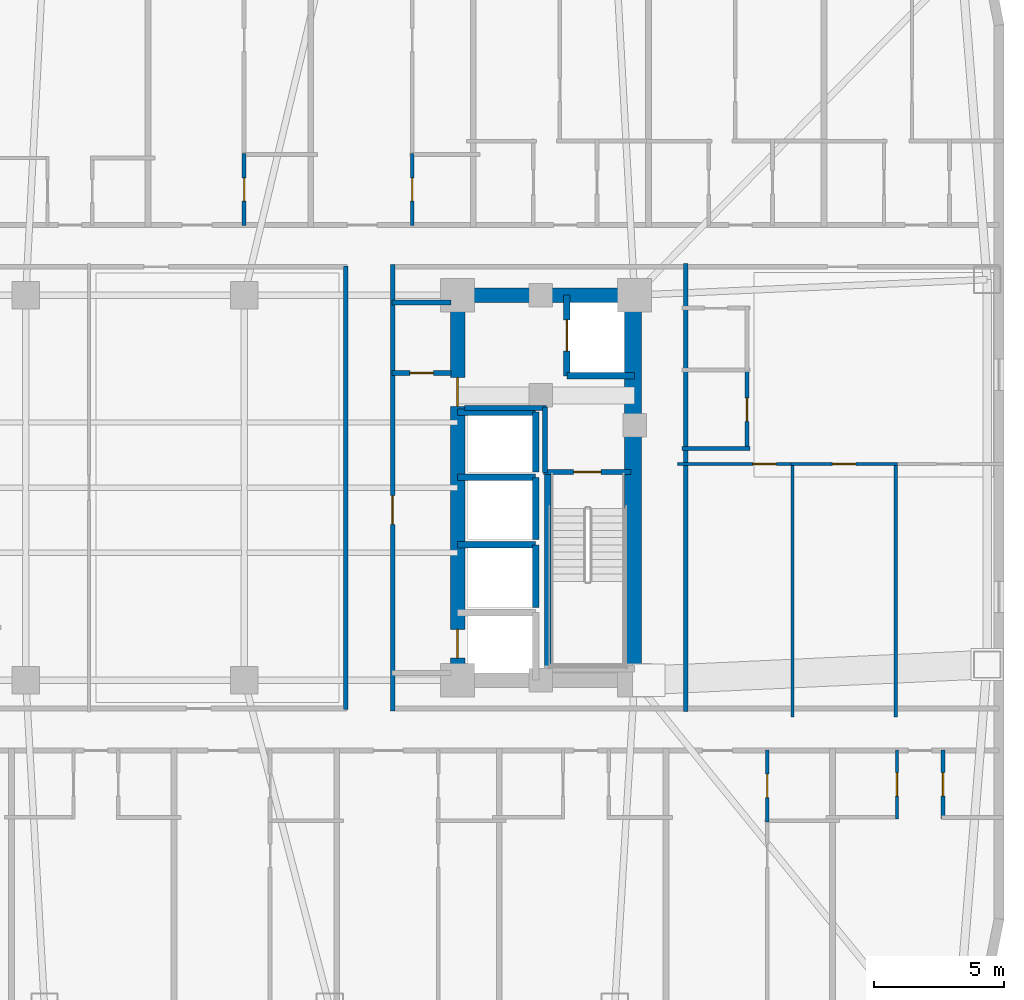
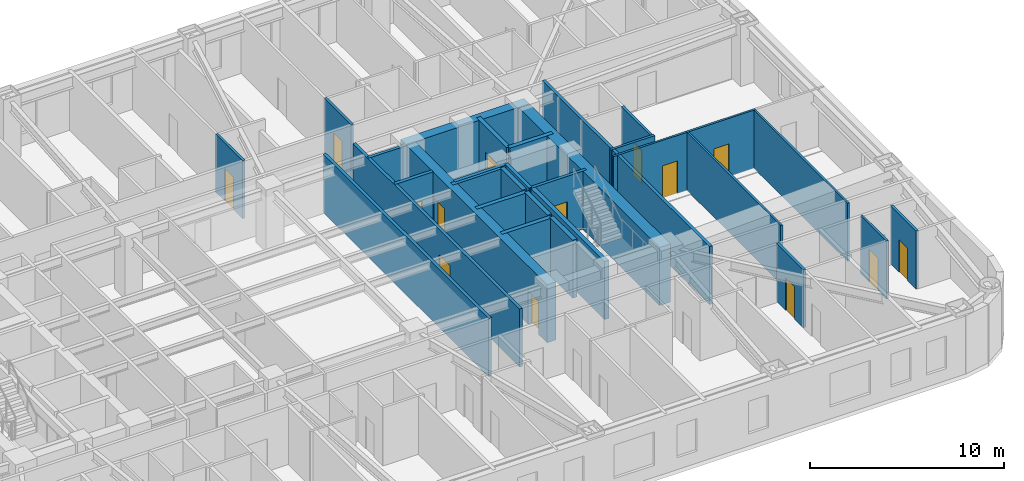
# One storey, part 7 of 13: 31 walls, 14 doors, 14 openings.
"""IFC4 building model written with IfcOpenShell, lengths in metres."""

from ifc_helpers import new_model, si_unit, direction, frame, frame_2d, origin, place, context, subcontext, project, spatial, rectangle, extrude, material, layer, layer_set, type_object, element, fill, save


model = new_model("IFC4")

# Units and contexts
model_context = context("Model", 3, precision=1e-05, world=origin(), true_north=direction((0.0, 1.0)))
body_context = subcontext(model_context, "Body", "Model", "MODEL_VIEW")
ifc_project = project(units=[si_unit("LENGTHUNIT", "METRE"), si_unit("AREAUNIT", "SQUARE_METRE"), si_unit("VOLUMEUNIT", "CUBIC_METRE"), si_unit("PLANEANGLEUNIT", "RADIAN"), si_unit("MASSUNIT", "GRAM", prefix="KILO")], contexts=[model_context])

# Site, building, storey
site_placement = place(None, origin())
site = spatial("IfcSite", under=ifc_project, at=site_placement, CompositionType="ELEMENT")
building_placement = place(site_placement, origin())
building = spatial("IfcBuilding", under=site, at=building_placement, Name="Voryun Gate Residences", CompositionType="ELEMENT")
storey_placement = place(building_placement, frame((0.0, 0.0, 124.800048828125)))
storey = spatial("IfcBuildingStorey", under=building, at=storey_placement, Name="L30", CompositionType="ELEMENT", Elevation=124.800048828125)

# Wall
ifc_material_1 = material(Name="Concrete C60/75", Category="concrete")
ifc_layer_1 = layer(ifc_material_1, 0.550048828125, Name="CW_CORE_550")
ifc_layer_set_1 = layer_set([ifc_layer_1], Name="Concrete C60/75")
wall_type_1 = type_object("IfcWallType", Name="CW_CORE_550", PredefinedType="SHEAR", material=ifc_layer_set_1)
wall_1_placement = place(storey_placement, frame((12.125, 7.39990234375, 0.0), z_axis=(0.0, 0.0, 1.0), x_axis=(1.0, 0.0, 0.0)))
element("IfcWall", 1, at=wall_1_placement, inside=storey, type_object=wall_type_1, Name="L30 Core shear wall CW-L30-EN", PredefinedType="SHEAR", context=body_context, shape_type="SweptSolid", body=[
    extrude(rectangle(XDim=7.35009765625, YDim=0.550048828125, at=frame_2d((3.675048828125, 0.0))), origin(), (0.0, 0.0, 1.0), 3.64990234375),
])

# Wall, openings, doors
wall_2_placement = place(storey_placement, frame((12.39990234375, -7.39990234375, 0.0), z_axis=(0.0, 0.0, 1.0), x_axis=(0.0, 1.0, 0.0)))
wall_2 = element("IfcWall", 2, at=wall_2_placement, inside=storey, type_object=wall_type_1, Name="L30 Core shear wall CW-L30-EW", PredefinedType="SHEAR", context=body_context, shape_type="SweptSolid", body=[
    extrude(rectangle(XDim=14.7998046875, YDim=0.550048828125, at=frame_2d((7.39990234375, 0.0))), origin(), (0.0, 0.0, 1.0), 3.64990234375),
])
opening_1_placement = place(wall_2_placement, frame((0.85009765625, 0.0, 0.0)))
opening_1 = element("IfcOpeningElement", 3, at=opening_1_placement, cuts=wall_2, Name="Opening LD2", PredefinedType="OPENING", context=body_context, shape_type="SweptSolid", body=[
    extrude(rectangle(XDim=1.10009765625, YDim=2.050048828125, at=frame_2d((0.550048828125, 1.02490234375))), frame((0.0, 0.284912109375, 0.0), z_axis=(0.0, -1.0, 0.0), x_axis=(1.0, 0.0, 0.0)), (0.0, 0.0, 1.0), 0.570068359375),
])
opening_2_placement = place(wall_2_placement, frame((10.530029296875, 0.0, 0.0)))
opening_2 = element("IfcOpeningElement", 4, at=opening_2_placement, cuts=wall_2, Name="Opening D-FD60-2", PredefinedType="OPENING", context=body_context, shape_type="SweptSolid", body=[
    extrude(rectangle(XDim=1.10009765625, YDim=2.050048828125, at=frame_2d((0.550048828125, 1.02490234375))), frame((0.0, 0.284912109375, 0.0), z_axis=(0.0, -1.0, 0.0), x_axis=(1.0, 0.0, 0.0)), (0.0, 0.0, 1.0), 0.570068359375),
])
ifc_material_2 = material(Name="Painted steel fire door", Category="steel")
door_type_1 = type_object("IfcDoorType", Name="DR_FD60_FFLOB_1100", OperationType="NOTDEFINED", PredefinedType="DOOR", material=ifc_material_2)
door_1_placement = place(opening_2_placement, origin())
door_1 = element("IfcDoor", 5, at=door_1_placement, inside=storey, type_object=door_type_1, Name="Door DR-L30-CLOB-E", OperationType="SINGLE_SWING_RIGHT", OverallHeight=2.050048828125, OverallWidth=1.10009765625, PredefinedType="DOOR", context=body_context, shape_type="SweptSolid", body=[
    extrude(rectangle(XDim=1.10009765625, YDim=2.050048828125, at=frame_2d((0.550048828125, 1.02490234375))), frame((0.0, 0.02490234375, 0.0), z_axis=(0.0, -1.0, 0.0), x_axis=(1.0, 0.0, 0.0)), (0.0, 0.0, 1.0), 0.050048828125),
])
fill(opening_2, door_1)
ifc_material_3 = material(Name="Anodised aluminium", Category="aluminium")
door_type_2 = type_object("IfcDoorType", Name="DR_LD_PASS_1100", OperationType="NOTDEFINED", PredefinedType="DOOR", material=ifc_material_3)
door_2_placement = place(opening_1_placement, origin())
door_2 = element("IfcDoor", 6, at=door_2_placement, inside=storey, type_object=door_type_2, Name="Lift EL-P3 sliding landing door L30", OperationType="SLIDING_TO_LEFT", OverallHeight=2.050048828125, OverallWidth=1.10009765625, PredefinedType="DOOR", context=body_context, shape_type="SweptSolid", body=[
    extrude(rectangle(XDim=1.10009765625, YDim=2.050048828125, at=frame_2d((0.550048828125, 1.02490234375))), frame((0.0, 0.02490234375, 0.0), z_axis=(0.0, -1.0, 0.0), x_axis=(1.0, 0.0, 0.0)), (0.0, 0.0, 1.0), 0.050048828125),
])
fill(opening_1, door_2)

# Wall
ifc_material_4 = material(Name="Concrete C60/75", Category="concrete")
ifc_layer_2 = layer(ifc_material_4, 0.64990234375, Name="CW_CORE_650")
ifc_layer_set_2 = layer_set([ifc_layer_2], Name="Concrete C60/75")
wall_type_2 = type_object("IfcWallType", Name="CW_CORE_650", PredefinedType="SHEAR", material=ifc_layer_set_2)
wall_3_placement = place(storey_placement, frame((19.14501953125, -7.39990234375, 0.0), z_axis=(0.0, 0.0, 1.0), x_axis=(0.0, 1.0, 0.0)))
element("IfcWall", 7, at=wall_3_placement, inside=storey, type_object=wall_type_2, Name="L30 Core shear wall CW-L30-EE", PredefinedType="SHEAR", context=body_context, shape_type="SweptSolid", body=[
    extrude(rectangle(XDim=14.7998046875, YDim=0.64990234375, at=frame_2d((7.39990234375, 0.0))), origin(), (0.0, 0.0, 1.0), 3.64990234375),
])

# Wall, opening, door
ifc_material_5 = material(Name="Gypsum acoustic fireboard")
ifc_layer_3 = layer(ifc_material_5, 0.179931640625, Name="W_CORR_RATED_180")
ifc_layer_set_3 = layer_set([ifc_layer_3], Name="Gypsum acoustic fireboard")
wall_type_3 = type_object("IfcWallType", Name="W_CORR_RATED_180", PredefinedType="PARTITIONING", material=ifc_layer_set_3)
wall_4_placement = place(storey_placement, frame((15.699951171875, 0.60009765625, 0.0), z_axis=(0.0, 0.0, 1.0), x_axis=(1.0, 0.0, 0.0)))
wall_4 = element("IfcWall", 8, at=wall_4_placement, inside=storey, type_object=wall_type_3, Name="Partition wall WP-L30-STV-E", PredefinedType="PARTITIONING", context=body_context, shape_type="SweptSolid", body=[
    extrude(rectangle(XDim=3.360107421875, YDim=0.179931640625, at=frame_2d((1.68017578125, 0.0))), origin(), (0.0, 0.0, 1.0), 3.64990234375),
])
opening_3_placement = place(wall_4_placement, frame((1.155029296875, 0.0, 0.0)))
opening_3 = element("IfcOpeningElement", 9, at=opening_3_placement, cuts=wall_4, Name="Opening D-FD60-1", PredefinedType="OPENING", context=body_context, shape_type="SweptSolid", body=[
    extrude(rectangle(XDim=1.050048828125, YDim=2.050048828125, at=frame_2d((0.52490234375, 1.02490234375))), frame((0.0, 0.099853515625, 0.0), z_axis=(0.0, -1.0, 0.0), x_axis=(1.0, 0.0, 0.0)), (0.0, 0.0, 1.0), 0.199951171875),
])
ifc_material_6 = material(Name="Painted steel fire door", Category="steel")
door_type_3 = type_object("IfcDoorType", Name="DR_FD60_STAIR_1050", OperationType="NOTDEFINED", PredefinedType="DOOR", material=ifc_material_6)
door_3_placement = place(opening_3_placement, origin())
door_3 = element("IfcDoor", 10, at=door_3_placement, inside=storey, type_object=door_type_3, Name="Door DR-L30-ST-E", OperationType="SINGLE_SWING_RIGHT", OverallHeight=2.050048828125, OverallWidth=1.050048828125, PredefinedType="DOOR", context=body_context, shape_type="SweptSolid", body=[
    extrude(rectangle(XDim=1.050048828125, YDim=2.050048828125, at=frame_2d((0.52490234375, 1.02490234375))), frame((0.0, 0.02490234375, 0.0), z_axis=(0.0, -1.0, 0.0), x_axis=(1.0, 0.0, 0.0)), (0.0, 0.0, 1.0), 0.050048828125),
])
fill(opening_3, door_3)

# Wall
wall_5_placement = place(storey_placement, frame((9.8798828125, 7.1201171875, 0.0), z_axis=(0.0, 0.0, 1.0), x_axis=(1.0, 0.0, 0.0)))
element("IfcWall", 11, at=wall_5_placement, inside=storey, type_object=wall_type_3, Name="Partition wall WP-L30-PLBN-E", PredefinedType="PARTITIONING", context=body_context, shape_type="SweptSolid", body=[
    extrude(rectangle(XDim=2.27001953125, YDim=0.179931640625, at=frame_2d((1.135009765625, 0.0))), origin(), (0.0, 0.0, 1.0), 3.64990234375),
])

# Wall, opening, door
wall_6_placement = place(storey_placement, frame((9.89990234375, -8.580078125, 0.0), z_axis=(0.0, 0.0, 1.0), x_axis=(0.0, 1.0, 0.0)))
wall_6 = element("IfcWall", 12, at=wall_6_placement, inside=storey, type_object=wall_type_3, Name="Partition wall WP-L30-PLBE-FULL", PredefinedType="PARTITIONING", context=body_context, shape_type="SweptSolid", body=[
    extrude(rectangle(XDim=17.16015625, YDim=0.179931640625, at=frame_2d((8.580078125, 0.0))), origin(), (0.0, 0.0, 1.0), 3.64990234375),
])
opening_4_placement = place(wall_6_placement, frame((7.172119140625, 0.0, 0.0)))
opening_4 = element("IfcOpeningElement", 13, at=opening_4_placement, cuts=wall_6, Name="Opening D-FD60-2", PredefinedType="OPENING", context=body_context, shape_type="SweptSolid", body=[
    extrude(rectangle(XDim=1.10009765625, YDim=2.050048828125, at=frame_2d((0.550048828125, 1.02490234375))), frame((0.0, 0.099853515625, 0.0), z_axis=(0.0, -1.0, 0.0), x_axis=(1.0, 0.0, 0.0)), (0.0, 0.0, 1.0), 0.199951171875),
])
door_4_placement = place(opening_4_placement, origin())
door_4 = element("IfcDoor", 14, at=door_4_placement, inside=storey, type_object=door_type_1, Name="Door DR-L30-PLBE-COR", OperationType="SINGLE_SWING_RIGHT", OverallHeight=2.050048828125, OverallWidth=1.10009765625, PredefinedType="DOOR", context=body_context, shape_type="SweptSolid", body=[
    extrude(rectangle(XDim=1.10009765625, YDim=2.050048828125, at=frame_2d((0.550048828125, 1.02490234375))), frame((0.0, 0.02490234375, 0.0), z_axis=(0.0, -1.0, 0.0), x_axis=(1.0, 0.0, 0.0)), (0.0, 0.0, 1.0), 0.050048828125),
])
fill(opening_4, door_4)

# Walls
wall_7_placement = place(storey_placement, frame((8.10009765625, -8.530029296875, 0.0), z_axis=(0.0, 0.0, 1.0), x_axis=(0.0, 1.0, 0.0)))
element("IfcWall", 15, at=wall_7_placement, inside=storey, type_object=wall_type_3, Name="Partition wall WP-L30-Z1E", PredefinedType="PARTITIONING", context=body_context, shape_type="SweptSolid", body=[
    extrude(rectangle(XDim=17.06005859375, YDim=0.179931640625, at=frame_2d((8.530029296875, 0.0))), origin(), (0.0, 0.0, 1.0), 3.64990234375),
])
wall_8_placement = place(storey_placement, frame((21.169921875, -8.610107421875, 0.0), z_axis=(0.0, 0.0, 1.0), x_axis=(0.0, 1.0, 0.0)))
element("IfcWall", 16, at=wall_8_placement, inside=storey, type_object=wall_type_3, Name="Partition wall WP-L30-ECOR", PredefinedType="PARTITIONING", context=body_context, shape_type="SweptSolid", body=[
    extrude(rectangle(XDim=17.22021484375, YDim=0.179931640625, at=frame_2d((8.610107421875, 0.0))), origin(), (0.0, 0.0, 1.0), 3.64990234375),
])
ifc_material_7 = material(Name="Concrete C40/50", Category="concrete")
ifc_layer_4 = layer(ifc_material_7, 0.199951171875, Name="W_FF_LOBBY_200")
ifc_layer_set_4 = layer_set([ifc_layer_4], Name="Concrete C40/50")
wall_type_4 = type_object("IfcWallType", Name="W_FF_LOBBY_200", PredefinedType="PARTITIONING", material=ifc_layer_set_4)
wall_9_placement = place(storey_placement, frame((15.760009765625, 0.580078125, 0.0), z_axis=(0.0, 0.0, 1.0), x_axis=(0.0, 1.0, 0.0)))
element("IfcWall", 17, at=wall_9_placement, inside=storey, type_object=wall_type_4, Name="Partition wall WP-L30-FFP0-E", PredefinedType="PARTITIONING", context=body_context, shape_type="SweptSolid", body=[
    extrude(rectangle(XDim=2.52001953125, YDim=0.199951171875, at=frame_2d((1.260009765625, 0.0))), origin(), (0.0, 0.0, 1.0), 3.64990234375),
])
wall_10_placement = place(storey_placement, frame((12.659912109375, 3.06005859375, 0.0), z_axis=(0.0, 0.0, 1.0), x_axis=(1.0, 0.0, 0.0)))
element("IfcWall", 18, at=wall_10_placement, inside=storey, type_object=wall_type_4, Name="Partition wall WP-L30-FFPS-E", PredefinedType="PARTITIONING", context=body_context, shape_type="SweptSolid", body=[
    extrude(rectangle(XDim=3.16015625, YDim=0.199951171875, at=frame_2d((1.580078125, 0.0))), origin(), (0.0, 0.0, 1.0), 3.64990234375),
])

# Wall, opening, door
wall_11_placement = place(storey_placement, frame((9.8798828125, 4.409912109375, 0.0), z_axis=(0.0, 0.0, 1.0), x_axis=(1.0, 0.0, 0.0)))
wall_11 = element("IfcWall", 19, at=wall_11_placement, inside=storey, type_object=wall_type_4, Name="Partition wall WP-L30-CSFLKS-E", PredefinedType="PARTITIONING", context=body_context, shape_type="SweptSolid", body=[
    extrude(rectangle(XDim=2.27001953125, YDim=0.199951171875, at=frame_2d((1.135009765625, 0.0))), origin(), (0.0, 0.0, 1.0), 3.64990234375),
])
opening_5_placement = place(wall_11_placement, frame((0.68505859375, 0.0, 0.0)))
opening_5 = element("IfcOpeningElement", 20, at=opening_5_placement, cuts=wall_11, Name="Opening D-FD60-4", PredefinedType="OPENING", context=body_context, shape_type="SweptSolid", body=[
    extrude(rectangle(XDim=0.89990234375, YDim=2.050048828125, at=frame_2d((0.449951171875, 1.02490234375))), frame((0.0, 0.110107421875, 0.0), z_axis=(0.0, -1.0, 0.0), x_axis=(1.0, 0.0, 0.0)), (0.0, 0.0, 1.0), 0.219970703125),
])
ifc_material_8 = material(Name="Painted steel fire door", Category="steel")
door_type_4 = type_object("IfcDoorType", Name="DR_FD60_RISER_900", OperationType="NOTDEFINED", PredefinedType="DOOR", material=ifc_material_8)
door_5_placement = place(opening_5_placement, origin())
door_5 = element("IfcDoor", 21, at=door_5_placement, inside=storey, type_object=door_type_4, Name="Door DR-L30-CSFLK-E", OperationType="SINGLE_SWING_RIGHT", OverallHeight=2.050048828125, OverallWidth=0.89990234375, PredefinedType="DOOR", context=body_context, shape_type="SweptSolid", body=[
    extrude(rectangle(XDim=0.89990234375, YDim=2.050048828125, at=frame_2d((0.449951171875, 1.02490234375))), frame((0.0, 0.02490234375, 0.0), z_axis=(0.0, -1.0, 0.0), x_axis=(1.0, 0.0, 0.0)), (0.0, 0.0, 1.0), 0.050048828125),
])
fill(opening_5, door_5)

# Walls
ifc_material_9 = material(Name="Concrete C50/60", Category="concrete")
ifc_layer_5 = layer(ifc_material_9, 0.25, Name="W_SHAFT_RC250")
ifc_layer_set_5 = layer_set([ifc_layer_5], Name="Concrete C50/60")
wall_type_5 = type_object("IfcWallType", Name="W_SHAFT_RC250", PredefinedType="SOLIDWALL", material=ifc_layer_set_5)
wall_12_placement = place(storey_placement, frame((15.860107421875, -7.0849609375, 0.0), z_axis=(0.0, 0.0, 1.0), x_axis=(0.0, 1.0, 0.0)))
element("IfcWall", 22, at=wall_12_placement, inside=storey, type_object=wall_type_5, Name="L30 Stair shaft structural wall E-STL", PredefinedType="SOLIDWALL", context=body_context, shape_type="SweptSolid", body=[
    extrude(rectangle(XDim=7.68505859375, YDim=0.25, at=frame_2d((3.842529296875, 0.0))), origin(), (0.0, 0.0, 1.0), 3.64990234375),
])
wall_13_placement = place(storey_placement, frame((16.60009765625, 4.300048828125, 0.0), z_axis=(0.0, 0.0, 1.0), x_axis=(1.0, 0.0, 0.0)))
element("IfcWall", 23, at=wall_13_placement, inside=storey, type_object=wall_type_5, Name="Lift shaft wall WSH-L30-EL-FF-E1-S", PredefinedType="SOLIDWALL", context=body_context, shape_type="SweptSolid", body=[
    extrude(rectangle(XDim=2.599853515625, YDim=0.25, at=frame_2d((1.2998046875, 0.0))), origin(), (0.0, 0.0, 1.0), 3.64990234375),
])

# Wall, opening, door
wall_14_placement = place(storey_placement, frame((16.60009765625, 7.39990234375, 0.0), z_axis=(0.0, 0.0, 1.0), x_axis=(0.0, -1.0, 0.0)))
wall_14 = element("IfcWall", 24, at=wall_14_placement, inside=storey, type_object=wall_type_5, Name="Lift shaft wall WSH-L30-EL-FF-E1-W", PredefinedType="SOLIDWALL", context=body_context, shape_type="SweptSolid", body=[
    extrude(rectangle(XDim=3.099853515625, YDim=0.25, at=frame_2d((1.5498046875, 0.0))), origin(), (0.0, 0.0, 1.0), 3.64990234375),
])
opening_6_placement = place(wall_14_placement, frame((0.949951171875, 0.0, 0.0)))
opening_6 = element("IfcOpeningElement", 25, at=opening_6_placement, cuts=wall_14, Name="Opening LD1", PredefinedType="OPENING", context=body_context, shape_type="SweptSolid", body=[
    extrude(rectangle(XDim=1.199951171875, YDim=2.050048828125, at=frame_2d((0.60009765625, 1.02490234375))), frame((0.0, 0.135009765625, 0.0), z_axis=(0.0, -1.0, 0.0), x_axis=(1.0, 0.0, 0.0)), (0.0, 0.0, 1.0), 0.27001953125),
])
ifc_material_10 = material(Name="Anodised aluminium", Category="aluminium")
door_type_5 = type_object("IfcDoorType", Name="DR_LD_FF_1200", OperationType="NOTDEFINED", PredefinedType="DOOR", material=ifc_material_10)
door_6_placement = place(opening_6_placement, origin())
door_6 = element("IfcDoor", 26, at=door_6_placement, inside=storey, type_object=door_type_5, Name="Lift EL-FF-E1 sliding landing door L30", OperationType="SLIDING_TO_LEFT", OverallHeight=2.050048828125, OverallWidth=1.199951171875, PredefinedType="DOOR", context=body_context, shape_type="SweptSolid", body=[
    extrude(rectangle(XDim=1.199951171875, YDim=2.050048828125, at=frame_2d((0.60009765625, 1.02490234375))), frame((0.0, 0.02490234375, 0.0), z_axis=(0.0, -1.0, 0.0), x_axis=(1.0, 0.0, 0.0)), (0.0, 0.0, 1.0), 0.050048828125),
])
fill(opening_6, door_6)

# Walls
wall_15_placement = place(storey_placement, frame((15.39990234375, -4.60009765625, 0.0), z_axis=(0.0, 0.0, 1.0), x_axis=(0.0, 1.0, 0.0)))
element("IfcWall", 27, at=wall_15_placement, inside=storey, type_object=wall_type_5, Name="Lift shaft wall WSH-L30-EL-P5-E", PredefinedType="SOLIDWALL", context=body_context, shape_type="SweptSolid", body=[
    extrude(rectangle(XDim=2.400146484375, YDim=0.25, at=frame_2d((1.2001953125, 0.0))), origin(), (0.0, 0.0, 1.0), 3.64990234375),
])
wall_16_placement = place(storey_placement, frame((15.39990234375, -2.199951171875, 0.0), z_axis=(0.0, 0.0, 1.0), x_axis=(-1.0, 0.0, 0.0)))
element("IfcWall", 28, at=wall_16_placement, inside=storey, type_object=wall_type_5, Name="Lift shaft wall WSH-L30-EL-P5-N", PredefinedType="SOLIDWALL", context=body_context, shape_type="SweptSolid", body=[
    extrude(rectangle(XDim=3.0, YDim=0.25, at=frame_2d((1.5, 0.0))), origin(), (0.0, 0.0, 1.0), 3.64990234375),
])
wall_17_placement = place(storey_placement, frame((15.39990234375, -2.0, 0.0), z_axis=(0.0, 0.0, 1.0), x_axis=(0.0, 1.0, 0.0)))
element("IfcWall", 29, at=wall_17_placement, inside=storey, type_object=wall_type_5, Name="Lift shaft wall WSH-L30-EL-P6-E", PredefinedType="SOLIDWALL", context=body_context, shape_type="SweptSolid", body=[
    extrude(rectangle(XDim=2.39990234375, YDim=0.25, at=frame_2d((1.199951171875, 0.0))), origin(), (0.0, 0.0, 1.0), 3.64990234375),
])
wall_18_placement = place(storey_placement, frame((15.39990234375, 0.39990234375, 0.0), z_axis=(0.0, 0.0, 1.0), x_axis=(-1.0, 0.0, 0.0)))
element("IfcWall", 30, at=wall_18_placement, inside=storey, type_object=wall_type_5, Name="Lift shaft wall WSH-L30-EL-P6-N", PredefinedType="SOLIDWALL", context=body_context, shape_type="SweptSolid", body=[
    extrude(rectangle(XDim=3.0, YDim=0.25, at=frame_2d((1.5, 0.0))), origin(), (0.0, 0.0, 1.0), 3.64990234375),
])
wall_19_placement = place(storey_placement, frame((15.39990234375, 0.60009765625, 0.0), z_axis=(0.0, 0.0, 1.0), x_axis=(0.0, 1.0, 0.0)))
element("IfcWall", 31, at=wall_19_placement, inside=storey, type_object=wall_type_5, Name="Lift shaft wall WSH-L30-EL-P8-E", PredefinedType="SOLIDWALL", context=body_context, shape_type="SweptSolid", body=[
    extrude(rectangle(XDim=2.2998046875, YDim=0.25, at=frame_2d((1.14990234375, 0.0))), origin(), (0.0, 0.0, 1.0), 3.64990234375),
])
wall_20_placement = place(storey_placement, frame((15.39990234375, 2.89990234375, 0.0), z_axis=(0.0, 0.0, 1.0), x_axis=(-1.0, 0.0, 0.0)))
element("IfcWall", 32, at=wall_20_placement, inside=storey, type_object=wall_type_5, Name="Lift shaft wall WSH-L30-EL-P8-N", PredefinedType="SOLIDWALL", context=body_context, shape_type="SweptSolid", body=[
    extrude(rectangle(XDim=3.0, YDim=0.25, at=frame_2d((1.5, 0.0))), origin(), (0.0, 0.0, 1.0), 3.64990234375),
])

# Wall, opening, door
ifc_material_11 = material(Name="Gypsum acoustic partition")
ifc_layer_6 = layer(ifc_material_11, 0.125, Name="W_UNIT_PART_125")
ifc_layer_set_6 = layer_set([ifc_layer_6], Name="Gypsum acoustic partition")
wall_type_6 = type_object("IfcWallType", Name="W_UNIT_PART_125", PredefinedType="PARTITIONING", material=ifc_layer_set_6)
wall_21_placement = place(storey_placement, frame((29.282958984375, -12.72998046875, 0.0), z_axis=(0.0, 0.0, 1.0), x_axis=(0.0, 1.0, 0.0)))
wall_21 = element("IfcWall", 33, at=wall_21_placement, inside=storey, type_object=wall_type_6, Name="Partition wall WP-L30-S10-CVK", PredefinedType="PARTITIONING", context=body_context, shape_type="SweptSolid", body=[
    extrude(rectangle(XDim=2.64990234375, YDim=0.125, at=frame_2d((1.324951171875, 0.0))), origin(), (0.0, 0.0, 1.0), 3.64990234375),
])
opening_7_placement = place(wall_21_placement, frame((0.875, 0.0, 0.0)))
opening_7 = element("IfcOpeningElement", 34, at=opening_7_placement, cuts=wall_21, Name="Opening D-INT-2", PredefinedType="OPENING", context=body_context, shape_type="SweptSolid", body=[
    extrude(rectangle(XDim=0.89990234375, YDim=2.050048828125, at=frame_2d((0.449951171875, 1.02490234375))), frame((0.0, 0.072509765625, 0.0), z_axis=(0.0, -1.0, 0.0), x_axis=(1.0, 0.0, 0.0)), (0.0, 0.0, 1.0), 0.14501953125),
])
ifc_material_12 = material(Name="Architectural oak veneer")
door_type_6 = type_object("IfcDoorType", Name="DR_INT_BATH_900", OperationType="NOTDEFINED", PredefinedType="DOOR", material=ifc_material_12)
door_7_placement = place(opening_7_placement, origin())
door_7 = element("IfcDoor", 35, at=door_7_placement, inside=storey, type_object=door_type_6, Name="Door DR-L30-S10-DK", OperationType="SINGLE_SWING_LEFT", OverallHeight=2.050048828125, OverallWidth=0.89990234375, PredefinedType="DOOR", context=body_context, shape_type="SweptSolid", body=[
    extrude(rectangle(XDim=0.89990234375, YDim=2.050048828125, at=frame_2d((0.449951171875, 1.02490234375))), frame((0.0, 0.02490234375, 0.0), z_axis=(0.0, -1.0, 0.0), x_axis=(1.0, 0.0, 0.0)), (0.0, 0.0, 1.0), 0.050048828125),
])
fill(opening_7, door_7)

wall_22_placement = place(storey_placement, frame((20.85009765625, 0.909912109375, 0.0), z_axis=(0.0, 0.0, 1.0), x_axis=(1.0, 0.0, 0.0)))
wall_22 = element("IfcWall", 36, at=wall_22_placement, inside=storey, type_object=wall_type_6, Name="Partition wall WP-L30-E1-HZMB1", PredefinedType="PARTITIONING", context=body_context, shape_type="SweptSolid", body=[
    extrude(rectangle(XDim=4.478515625, YDim=0.125, at=frame_2d((2.2392578125, 0.0))), origin(), (0.0, 0.0, 1.0), 3.64990234375),
])
opening_8_placement = place(wall_22_placement, frame((2.89794921875, 0.0, 0.0)))
opening_8 = element("IfcOpeningElement", 37, at=opening_8_placement, cuts=wall_22, Name="Opening D-INT-2", PredefinedType="OPENING", context=body_context, shape_type="SweptSolid", body=[
    extrude(rectangle(XDim=0.89990234375, YDim=2.050048828125, at=frame_2d((0.449951171875, 1.02490234375))), frame((0.0, 0.072509765625, 0.0), z_axis=(0.0, -1.0, 0.0), x_axis=(1.0, 0.0, 0.0)), (0.0, 0.0, 1.0), 0.14501953125),
])
door_8_placement = place(opening_8_placement, origin())
door_8 = element("IfcDoor", 38, at=door_8_placement, inside=storey, type_object=door_type_6, Name="Door DR-L30-E1-DMB", OperationType="SINGLE_SWING_LEFT", OverallHeight=2.050048828125, OverallWidth=0.89990234375, PredefinedType="DOOR", context=body_context, shape_type="SweptSolid", body=[
    extrude(rectangle(XDim=0.89990234375, YDim=2.050048828125, at=frame_2d((0.449951171875, 1.02490234375))), frame((0.0, 0.02490234375, 0.0), z_axis=(0.0, -1.0, 0.0), x_axis=(1.0, 0.0, 0.0)), (0.0, 0.0, 1.0), 0.050048828125),
])
fill(opening_8, door_8)

wall_23_placement = place(storey_placement, frame((25.20361328125, 0.909912109375, 0.0), z_axis=(0.0, 0.0, 1.0), x_axis=(1.0, 0.0, 0.0)))
wall_23 = element("IfcWall", 39, at=wall_23_placement, inside=storey, type_object=wall_type_6, Name="Partition wall WP-L30-E1-HZMB2", PredefinedType="PARTITIONING", context=body_context, shape_type="SweptSolid", body=[
    extrude(rectangle(XDim=4.100830078125, YDim=0.125, at=frame_2d((2.05029296875, 0.0))), origin(), (0.0, 0.0, 1.0), 3.64990234375),
])
opening_9_placement = place(wall_23_placement, frame((1.6005859375, 0.0, 0.0)))
opening_9 = element("IfcOpeningElement", 40, at=opening_9_placement, cuts=wall_23, Name="Opening D-INT-2", PredefinedType="OPENING", context=body_context, shape_type="SweptSolid", body=[
    extrude(rectangle(XDim=0.89990234375, YDim=2.050048828125, at=frame_2d((0.449951171875, 1.02490234375))), frame((0.0, 0.072509765625, 0.0), z_axis=(0.0, -1.0, 0.0), x_axis=(1.0, 0.0, 0.0)), (0.0, 0.0, 1.0), 0.14501953125),
])
door_9_placement = place(opening_9_placement, origin())
door_9 = element("IfcDoor", 41, at=door_9_placement, inside=storey, type_object=door_type_6, Name="Door DR-L30-E1-DBD2", OperationType="SINGLE_SWING_RIGHT", OverallHeight=2.050048828125, OverallWidth=0.89990234375, PredefinedType="DOOR", context=body_context, shape_type="SweptSolid", body=[
    extrude(rectangle(XDim=0.89990234375, YDim=2.050048828125, at=frame_2d((0.449951171875, 1.02490234375))), frame((0.0, 0.02490234375, 0.0), z_axis=(0.0, -1.0, 0.0), x_axis=(1.0, 0.0, 0.0)), (0.0, 0.0, 1.0), 0.050048828125),
])
fill(opening_9, door_9)

# Walls
for number, where, z_axis, x_axis, name in (
    (42, (29.241943359375, -8.81005859375, 0.0), (0.0, 0.0, 1.0), (0.0, 1.0, 0.0), "Partition wall WP-L30-E1-VMB2"),
    (43, (25.26611328125, -8.81005859375, 0.0), (0.0, 0.0, 1.0), (0.0, 1.0, 0.0), "Partition wall WP-L30-E1-VMB"),
):
    element("IfcWall", number, at=place(storey_placement, frame(where, z_axis=z_axis, x_axis=x_axis)), inside=storey, type_object=wall_type_6, Name=name, PredefinedType="PARTITIONING", context=body_context, shape_type="SweptSolid", body=[
        extrude(rectangle(XDim=9.780029296875, YDim=0.125, at=frame_2d((4.89013671875, 0.0))), origin(), (0.0, 0.0, 1.0), 3.64990234375),
    ])

# Wall, opening, door
ifc_material_13 = material(Name="Gypsum moisture-resistant partition")
ifc_layer_7 = layer(ifc_material_13, 0.14990234375, Name="W_WET_PLUMB_150")
ifc_layer_set_7 = layer_set([ifc_layer_7], Name="Gypsum moisture-resistant partition")
wall_type_7 = type_object("IfcWallType", Name="W_WET_PLUMB_150", PredefinedType="PLUMBINGWALL", material=ifc_layer_set_7)
wall_24_placement = place(storey_placement, frame((4.195068359375, 10.080078125, 0.0), z_axis=(0.0, 0.0, 1.0), x_axis=(0.0, 1.0, 0.0)))
wall_24 = element("IfcWall", 44, at=wall_24_placement, inside=storey, type_object=wall_type_7, Name="Partition wall WP-L30-N6-SVT1", PredefinedType="PLUMBINGWALL", context=body_context, shape_type="SweptSolid", body=[
    extrude(rectangle(XDim=2.760009765625, YDim=0.14990234375, at=frame_2d((1.3798828125, 0.0))), origin(), (0.0, 0.0, 1.0), 3.64990234375),
])
opening_10_placement = place(wall_24_placement, frame((0.929931640625, 0.0, 0.0)))
opening_10 = element("IfcOpeningElement", 45, at=opening_10_placement, cuts=wall_24, Name="Opening D-INT-2", PredefinedType="OPENING", context=body_context, shape_type="SweptSolid", body=[
    extrude(rectangle(XDim=0.89990234375, YDim=2.050048828125, at=frame_2d((0.449951171875, 1.02490234375))), frame((0.0, 0.0849609375, 0.0), z_axis=(0.0, -1.0, 0.0), x_axis=(1.0, 0.0, 0.0)), (0.0, 0.0, 1.0), 0.169921875),
])
door_10_placement = place(opening_10_placement, origin())
door_10 = element("IfcDoor", 46, at=door_10_placement, inside=storey, type_object=door_type_6, Name="Door DR-L30-N6-DB", OperationType="SINGLE_SWING_LEFT", OverallHeight=2.050048828125, OverallWidth=0.89990234375, PredefinedType="DOOR", context=body_context, shape_type="SweptSolid", body=[
    extrude(rectangle(XDim=0.89990234375, YDim=2.050048828125, at=frame_2d((0.449951171875, 1.02490234375))), frame((0.0, 0.02490234375, 0.0), z_axis=(0.0, -1.0, 0.0), x_axis=(1.0, 0.0, 0.0)), (0.0, 0.0, 1.0), 0.050048828125),
])
fill(opening_10, door_10)

wall_25_placement = place(storey_placement, frame((10.654052734375, 10.080078125, 0.0), z_axis=(0.0, 0.0, 1.0), x_axis=(0.0, 1.0, 0.0)))
wall_25 = element("IfcWall", 47, at=wall_25_placement, inside=storey, type_object=wall_type_7, Name="Partition wall WP-L30-N7-SVT1", PredefinedType="PLUMBINGWALL", context=body_context, shape_type="SweptSolid", body=[
    extrude(rectangle(XDim=2.760009765625, YDim=0.14990234375, at=frame_2d((1.3798828125, 0.0))), origin(), (0.0, 0.0, 1.0), 3.64990234375),
])
opening_11_placement = place(wall_25_placement, frame((0.929931640625, 0.0, 0.0)))
opening_11 = element("IfcOpeningElement", 48, at=opening_11_placement, cuts=wall_25, Name="Opening D-INT-2", PredefinedType="OPENING", context=body_context, shape_type="SweptSolid", body=[
    extrude(rectangle(XDim=0.89990234375, YDim=2.050048828125, at=frame_2d((0.449951171875, 1.02490234375))), frame((0.0, 0.0849609375, 0.0), z_axis=(0.0, -1.0, 0.0), x_axis=(1.0, 0.0, 0.0)), (0.0, 0.0, 1.0), 0.169921875),
])
door_11_placement = place(opening_11_placement, origin())
door_11 = element("IfcDoor", 49, at=door_11_placement, inside=storey, type_object=door_type_6, Name="Door DR-L30-N7-DB", OperationType="SINGLE_SWING_LEFT", OverallHeight=2.050048828125, OverallWidth=0.89990234375, PredefinedType="DOOR", context=body_context, shape_type="SweptSolid", body=[
    extrude(rectangle(XDim=0.89990234375, YDim=2.050048828125, at=frame_2d((0.449951171875, 1.02490234375))), frame((0.0, 0.02490234375, 0.0), z_axis=(0.0, -1.0, 0.0), x_axis=(1.0, 0.0, 0.0)), (0.0, 0.0, 1.0), 0.050048828125),
])
fill(opening_11, door_11)

wall_26_placement = place(storey_placement, frame((24.300048828125, -12.840087890625, 0.0), z_axis=(0.0, 0.0, 1.0), x_axis=(0.0, 1.0, 0.0)))
wall_26 = element("IfcWall", 50, at=wall_26_placement, inside=storey, type_object=wall_type_7, Name="Partition wall WP-L30-S9-SVT2", PredefinedType="PLUMBINGWALL", context=body_context, shape_type="SweptSolid", body=[
    extrude(rectangle(XDim=2.760009765625, YDim=0.14990234375, at=frame_2d((1.3798828125, 0.0))), origin(), (0.0, 0.0, 1.0), 3.64990234375),
])
opening_12_placement = place(wall_26_placement, frame((0.929931640625, 0.0, 0.0)))
opening_12 = element("IfcOpeningElement", 51, at=opening_12_placement, cuts=wall_26, Name="Opening D-INT-2", PredefinedType="OPENING", context=body_context, shape_type="SweptSolid", body=[
    extrude(rectangle(XDim=0.89990234375, YDim=2.050048828125, at=frame_2d((0.449951171875, 1.02490234375))), frame((0.0, 0.0849609375, 0.0), z_axis=(0.0, -1.0, 0.0), x_axis=(1.0, 0.0, 0.0)), (0.0, 0.0, 1.0), 0.169921875),
])
door_12_placement = place(opening_12_placement, origin())
door_12 = element("IfcDoor", 52, at=door_12_placement, inside=storey, type_object=door_type_6, Name="Door DR-L30-S9-DB", OperationType="SINGLE_SWING_RIGHT", OverallHeight=2.050048828125, OverallWidth=0.89990234375, PredefinedType="DOOR", context=body_context, shape_type="SweptSolid", body=[
    extrude(rectangle(XDim=0.89990234375, YDim=2.050048828125, at=frame_2d((0.449951171875, 1.02490234375))), frame((0.0, 0.02490234375, 0.0), z_axis=(0.0, -1.0, 0.0), x_axis=(1.0, 0.0, 0.0)), (0.0, 0.0, 1.0), 0.050048828125),
])
fill(opening_12, door_12)

wall_27_placement = place(storey_placement, frame((31.06005859375, -12.72998046875, 0.0), z_axis=(0.0, 0.0, 1.0), x_axis=(0.0, 1.0, 0.0)))
wall_27 = element("IfcWall", 53, at=wall_27_placement, inside=storey, type_object=wall_type_7, Name="Partition wall WP-L30-S10-CVB", PredefinedType="PLUMBINGWALL", context=body_context, shape_type="SweptSolid", body=[
    extrude(rectangle(XDim=2.64990234375, YDim=0.14990234375, at=frame_2d((1.324951171875, 0.0))), origin(), (0.0, 0.0, 1.0), 3.64990234375),
])
opening_13_placement = place(wall_27_placement, frame((0.875, 0.0, 0.0)))
opening_13 = element("IfcOpeningElement", 54, at=opening_13_placement, cuts=wall_27, Name="Opening D-INT-2", PredefinedType="OPENING", context=body_context, shape_type="SweptSolid", body=[
    extrude(rectangle(XDim=0.89990234375, YDim=2.050048828125, at=frame_2d((0.449951171875, 1.02490234375))), frame((0.0, 0.0849609375, 0.0), z_axis=(0.0, -1.0, 0.0), x_axis=(1.0, 0.0, 0.0)), (0.0, 0.0, 1.0), 0.169921875),
])
door_13_placement = place(opening_13_placement, origin())
door_13 = element("IfcDoor", 55, at=door_13_placement, inside=storey, type_object=door_type_6, Name="Door DR-L30-S10-DB", OperationType="SINGLE_SWING_RIGHT", OverallHeight=2.050048828125, OverallWidth=0.89990234375, PredefinedType="DOOR", context=body_context, shape_type="SweptSolid", body=[
    extrude(rectangle(XDim=0.89990234375, YDim=2.050048828125, at=frame_2d((0.449951171875, 1.02490234375))), frame((0.0, 0.02490234375, 0.0), z_axis=(0.0, -1.0, 0.0), x_axis=(1.0, 0.0, 0.0)), (0.0, 0.0, 1.0), 0.050048828125),
])
fill(opening_13, door_13)

# Wall
wall_28_placement = place(storey_placement, frame((21.02001953125, 1.5, 0.0), z_axis=(0.0, 0.0, 1.0), x_axis=(1.0, 0.0, 0.0)))
element("IfcWall", 56, at=wall_28_placement, inside=storey, type_object=wall_type_7, Name="Partition wall WP-L30-E1-IBB", PredefinedType="PLUMBINGWALL", context=body_context, shape_type="SweptSolid", body=[
    extrude(rectangle(XDim=2.619873046875, YDim=0.14990234375, at=frame_2d((1.31005859375, 0.0))), origin(), (0.0, 0.0, 1.0), 3.64990234375),
])

# Wall, opening, door
wall_29_placement = place(storey_placement, frame((23.52001953125, 1.43994140625, 0.0), z_axis=(0.0, 0.0, 1.0), x_axis=(0.0, 1.0, 0.0)))
wall_29 = element("IfcWall", 57, at=wall_29_placement, inside=storey, type_object=wall_type_7, Name="Partition wall WP-L30-E1-VTSK1", PredefinedType="PLUMBINGWALL", context=body_context, shape_type="SweptSolid", body=[
    extrude(rectangle(XDim=3.1201171875, YDim=0.14990234375, at=frame_2d((1.56005859375, 0.0))), origin(), (0.0, 0.0, 1.0), 3.64990234375),
])
opening_14_placement = place(wall_29_placement, frame((1.110107421875, 0.0, 0.0)))
opening_14 = element("IfcOpeningElement", 58, at=opening_14_placement, cuts=wall_29, Name="Opening D-INT-2", PredefinedType="OPENING", context=body_context, shape_type="SweptSolid", body=[
    extrude(rectangle(XDim=0.89990234375, YDim=2.050048828125, at=frame_2d((0.449951171875, 1.02490234375))), frame((0.0, 0.0849609375, 0.0), z_axis=(0.0, -1.0, 0.0), x_axis=(1.0, 0.0, 0.0)), (0.0, 0.0, 1.0), 0.169921875),
])
door_14_placement = place(opening_14_placement, origin())
door_14 = element("IfcDoor", 59, at=door_14_placement, inside=storey, type_object=door_type_6, Name="Door DR-L30-E1-DB", OperationType="SINGLE_SWING_RIGHT", OverallHeight=2.050048828125, OverallWidth=0.89990234375, PredefinedType="DOOR", context=body_context, shape_type="SweptSolid", body=[
    extrude(rectangle(XDim=0.89990234375, YDim=2.050048828125, at=frame_2d((0.449951171875, 1.02490234375))), frame((0.0, 0.02490234375, 0.0), z_axis=(0.0, -1.0, 0.0), x_axis=(1.0, 0.0, 0.0)), (0.0, 0.0, 1.0), 0.050048828125),
])
fill(opening_14, door_14)

save(model, "model.ifc")
